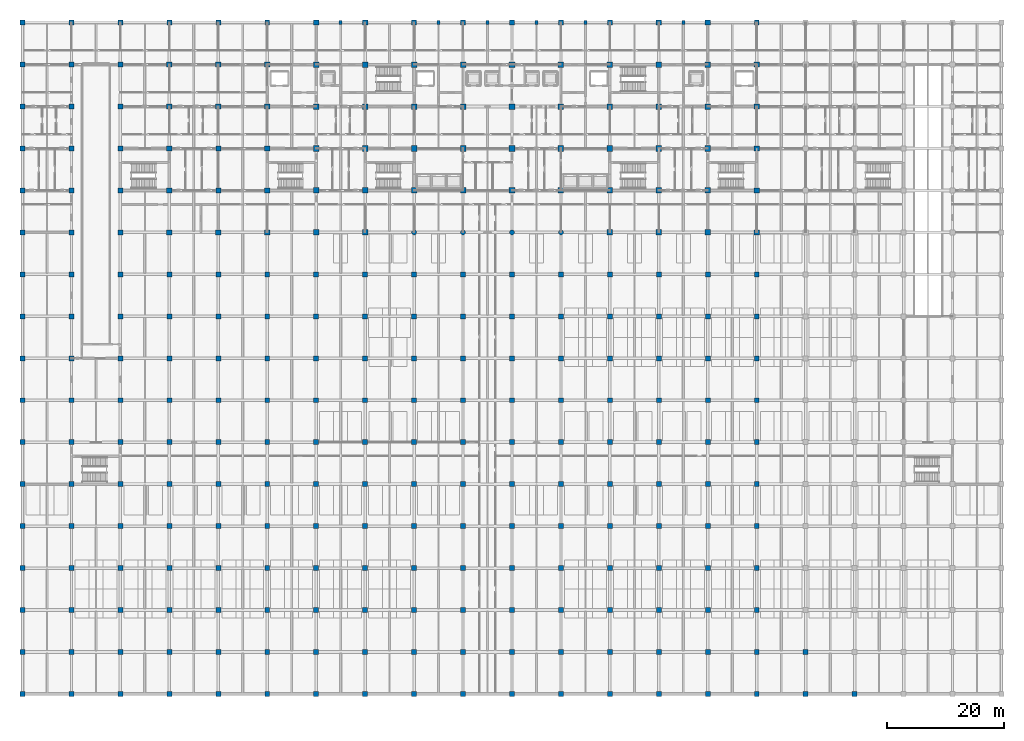
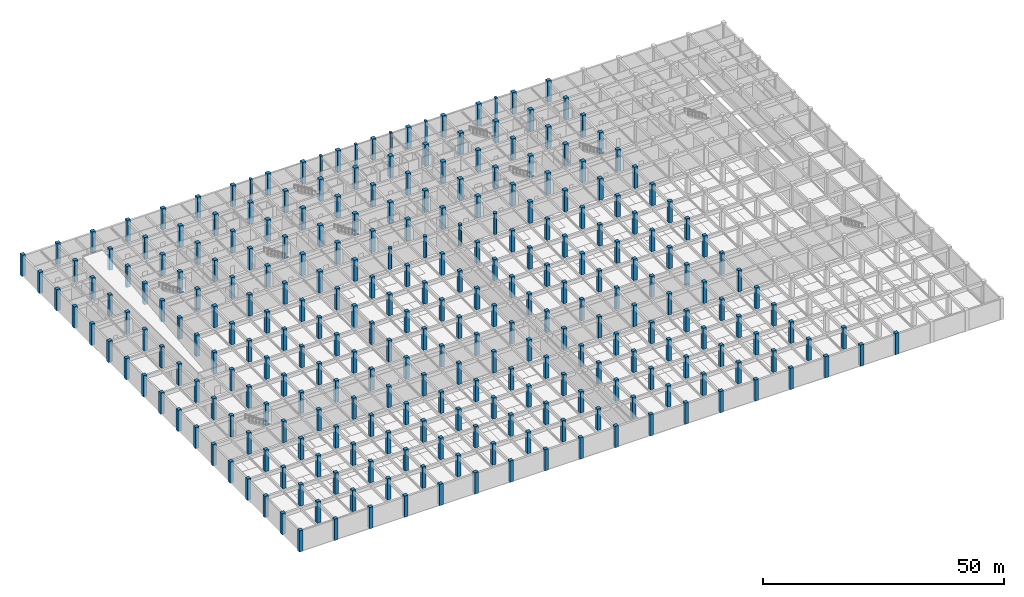
# One storey, part 1 of 48: 281 columns.
"""IFC4 building model written with IfcOpenShell, lengths in metres."""

from ifc_helpers import new_model, si_unit, direction, frame, origin, origin_2d, place, context, subcontext, project, spatial, rectangle, circle, extrude, material, material_profile, profile_set, type_object, element, save


model = new_model("IFC4")

# Units and contexts
model_context = context("Model", 3, precision=1e-05, world=origin(), true_north=direction((0.0, 1.0)))
body_context = subcontext(model_context, "Body", "Model", "MODEL_VIEW")
ifc_project = project(units=[si_unit("LENGTHUNIT", "METRE"), si_unit("AREAUNIT", "SQUARE_METRE"), si_unit("VOLUMEUNIT", "CUBIC_METRE"), si_unit("PLANEANGLEUNIT", "RADIAN"), si_unit("MASSUNIT", "GRAM", prefix="KILO")], contexts=[model_context])

# Site, building, storey
site_placement = place(None, origin())
site = spatial("IfcSite", under=ifc_project, at=site_placement, CompositionType="ELEMENT")
building_placement = place(site_placement, origin())
building = spatial("IfcBuilding", under=site, at=building_placement, Name="Chengyuan Square Courthouse", CompositionType="ELEMENT")
storey_placement = place(building_placement, frame((0.0, 0.0, -5.39990234375)))
storey = spatial("IfcBuildingStorey", under=building, at=storey_placement, Name="B01", CompositionType="ELEMENT", Elevation=-5.39990234375)

# Columns
ifc_material_1 = material(Name="Concrete C50", Category="concrete")
ifc_material_profile_1 = material_profile(ifc_material_1, rectangle(XDim=0.949951171875, YDim=0.949951171875, at=origin_2d()), Name="RC-COL-950x950")
ifc_profile_set_1 = profile_set([ifc_material_profile_1], Name="Concrete C50")
column_type_1 = type_object("IfcColumnType", Name="CL-01", PredefinedType="COLUMN", material=ifc_profile_set_1)
for number, where, z_axis, x_axis, name in (
    (1, (50.39990234375, 79.199951171875, 0.0), (0.0, 0.0, 1.0), (1.0, 0.0, 0.0), "Column CL-B01-114"),
    (2, (50.39990234375, 86.39990234375, 0.0), (0.0, 0.0, 1.0), (1.0, 0.0, 0.0), "Column CL-B01-115"),
    (3, (50.39990234375, 93.60009765625, 0.0), (0.0, 0.0, 1.0), (1.0, 0.0, 0.0), "Column CL-B01-116"),
    (4, (50.39990234375, 100.800048828125, 0.0), (0.0, 0.0, 1.0), (1.0, 0.0, 0.0), "Column CL-B01-117"),
    (5, (50.39990234375, 108.0, 0.0), (0.0, 0.0, 1.0), (1.0, 0.0, 0.0), "Column CL-B01-118"),
    (6, (58.800048828125, 79.199951171875, 0.0), (0.0, 0.0, 1.0), (1.0, 0.0, 0.0), "Column CL-B01-131"),
    (7, (58.800048828125, 86.39990234375, 0.0), (0.0, 0.0, 1.0), (1.0, 0.0, 0.0), "Column CL-B01-132"),
    (8, (58.800048828125, 93.60009765625, 0.0), (0.0, 0.0, 1.0), (1.0, 0.0, 0.0), "Column CL-B01-133"),
    (9, (58.800048828125, 100.800048828125, 0.0), (0.0, 0.0, 1.0), (1.0, 0.0, 0.0), "Column CL-B01-134"),
    (10, (58.800048828125, 108.0, 0.0), (0.0, 0.0, 1.0), (1.0, 0.0, 0.0), "Column CL-B01-135"),
    (11, (67.199951171875, 86.39990234375, 0.0), (0.0, 0.0, 1.0), (1.0, 0.0, 0.0), "Column CL-B01-149"),
    (12, (67.199951171875, 93.60009765625, 0.0), (0.0, 0.0, 1.0), (1.0, 0.0, 0.0), "Column CL-B01-150"),
    (13, (67.199951171875, 100.800048828125, 0.0), (0.0, 0.0, 1.0), (1.0, 0.0, 0.0), "Column CL-B01-151"),
    (14, (67.199951171875, 108.0, 0.0), (0.0, 0.0, 1.0), (1.0, 0.0, 0.0), "Column CL-B01-152"),
    (15, (75.60009765625, 86.39990234375, 0.0), (0.0, 0.0, 1.0), (1.0, 0.0, 0.0), "Column CL-B01-166"),
    (16, (75.60009765625, 93.60009765625, 0.0), (0.0, 0.0, 1.0), (1.0, 0.0, 0.0), "Column CL-B01-167"),
    (17, (75.60009765625, 100.800048828125, 0.0), (0.0, 0.0, 1.0), (1.0, 0.0, 0.0), "Column CL-B01-168"),
    (18, (75.60009765625, 108.0, 0.0), (0.0, 0.0, 1.0), (1.0, 0.0, 0.0), "Column CL-B01-169"),
    (19, (84.0, 86.39990234375, 0.0), (0.0, 0.0, 1.0), (1.0, 0.0, 0.0), "Column CL-B01-183"),
    (20, (84.0, 93.60009765625, 0.0), (0.0, 0.0, 1.0), (1.0, 0.0, 0.0), "Column CL-B01-184"),
    (21, (84.0, 100.800048828125, 0.0), (0.0, 0.0, 1.0), (1.0, 0.0, 0.0), "Column CL-B01-185"),
    (22, (84.0, 108.0, 0.0), (0.0, 0.0, 1.0), (1.0, 0.0, 0.0), "Column CL-B01-186"),
    (23, (92.39990234375, 86.39990234375, 0.0), (0.0, 0.0, 1.0), (1.0, 0.0, 0.0), "Column CL-B01-200"),
    (24, (92.39990234375, 93.60009765625, 0.0), (0.0, 0.0, 1.0), (1.0, 0.0, 0.0), "Column CL-B01-201"),
    (25, (92.39990234375, 100.800048828125, 0.0), (0.0, 0.0, 1.0), (1.0, 0.0, 0.0), "Column CL-B01-202"),
    (26, (92.39990234375, 108.0, 0.0), (0.0, 0.0, 1.0), (1.0, 0.0, 0.0), "Column CL-B01-203"),
    (27, (100.800048828125, 79.199951171875, 0.0), (0.0, 0.0, 1.0), (1.0, 0.0, 0.0), "Column CL-B01-216"),
    (28, (100.800048828125, 86.39990234375, 0.0), (0.0, 0.0, 1.0), (1.0, 0.0, 0.0), "Column CL-B01-217"),
    (29, (100.800048828125, 93.60009765625, 0.0), (0.0, 0.0, 1.0), (1.0, 0.0, 0.0), "Column CL-B01-218"),
    (30, (100.800048828125, 100.800048828125, 0.0), (0.0, 0.0, 1.0), (1.0, 0.0, 0.0), "Column CL-B01-219"),
    (31, (100.800048828125, 108.0, 0.0), (0.0, 0.0, 1.0), (1.0, 0.0, 0.0), "Column CL-B01-220"),
    (32, (109.199951171875, 79.199951171875, 0.0), (0.0, 0.0, 1.0), (1.0, 0.0, 0.0), "Column CL-B01-233"),
    (33, (109.199951171875, 86.39990234375, 0.0), (0.0, 0.0, 1.0), (1.0, 0.0, 0.0), "Column CL-B01-234"),
    (34, (109.199951171875, 93.60009765625, 0.0), (0.0, 0.0, 1.0), (1.0, 0.0, 0.0), "Column CL-B01-235"),
    (35, (109.199951171875, 100.800048828125, 0.0), (0.0, 0.0, 1.0), (1.0, 0.0, 0.0), "Column CL-B01-236"),
    (36, (109.199951171875, 108.0, 0.0), (0.0, 0.0, 1.0), (1.0, 0.0, 0.0), "Column CL-B01-237"),
    (37, (117.60009765625, 79.199951171875, 0.0), (0.0, 0.0, 1.0), (1.0, 0.0, 0.0), "Column CL-B01-250"),
    (38, (117.60009765625, 86.39990234375, 0.0), (0.0, 0.0, 1.0), (1.0, 0.0, 0.0), "Column CL-B01-251"),
    (39, (117.60009765625, 93.60009765625, 0.0), (0.0, 0.0, 1.0), (1.0, 0.0, 0.0), "Column CL-B01-252"),
    (40, (117.60009765625, 100.800048828125, 0.0), (0.0, 0.0, 1.0), (1.0, 0.0, 0.0), "Column CL-B01-253"),
    (41, (117.60009765625, 108.0, 0.0), (0.0, 0.0, 1.0), (1.0, 0.0, 0.0), "Column CL-B01-254"),
):
    element("IfcColumn", number, at=place(storey_placement, frame(where, z_axis=z_axis, x_axis=x_axis)), inside=storey, type_object=column_type_1, Name=name, PredefinedType="COLUMN", context=body_context, shape_type="SweptSolid", body=[
        extrude(rectangle(XDim=0.949951171875, YDim=0.949951171875, at=origin_2d()), origin(), (0.0, 0.0, 1.0), 5.39990234375),
    ])
ifc_material_profile_2 = material_profile(ifc_material_1, rectangle(XDim=0.89990234375, YDim=0.89990234375, at=origin_2d()), Name="RC-COL-900x900")
ifc_profile_set_2 = profile_set([ifc_material_profile_2], Name="Concrete C50")
column_type_2 = type_object("IfcColumnType", Name="CL-02", PredefinedType="COLUMN", material=ifc_profile_set_2)
for number, where, z_axis, x_axis, name in (
    (42, (25.199951171875, 79.199951171875, 0.0), (0.0, 0.0, 1.0), (1.0, 0.0, 0.0), "Column CL-B01-063"),
    (43, (25.199951171875, 86.39990234375, 0.0), (0.0, 0.0, 1.0), (1.0, 0.0, 0.0), "Column CL-B01-064"),
    (44, (25.199951171875, 93.60009765625, 0.0), (0.0, 0.0, 1.0), (1.0, 0.0, 0.0), "Column CL-B01-065"),
    (45, (25.199951171875, 100.800048828125, 0.0), (0.0, 0.0, 1.0), (1.0, 0.0, 0.0), "Column CL-B01-066"),
    (46, (25.199951171875, 108.0, 0.0), (0.0, 0.0, 1.0), (1.0, 0.0, 0.0), "Column CL-B01-067"),
    (47, (33.60009765625, 79.199951171875, 0.0), (0.0, 0.0, 1.0), (1.0, 0.0, 0.0), "Column CL-B01-080"),
    (48, (33.60009765625, 100.800048828125, 0.0), (0.0, 0.0, 1.0), (1.0, 0.0, 0.0), "Column CL-B01-083"),
    (49, (33.60009765625, 108.0, 0.0), (0.0, 0.0, 1.0), (1.0, 0.0, 0.0), "Column CL-B01-084"),
    (50, (42.0, 79.199951171875, 0.0), (0.0, 0.0, 1.0), (1.0, 0.0, 0.0), "Column CL-B01-097"),
    (51, (42.0, 86.39990234375, 0.0), (0.0, 0.0, 1.0), (1.0, 0.0, 0.0), "Column CL-B01-098"),
    (52, (42.0, 93.60009765625, 0.0), (0.0, 0.0, 1.0), (1.0, 0.0, 0.0), "Column CL-B01-099"),
    (53, (42.0, 100.800048828125, 0.0), (0.0, 0.0, 1.0), (1.0, 0.0, 0.0), "Column CL-B01-100"),
    (54, (42.0, 108.0, 0.0), (0.0, 0.0, 1.0), (1.0, 0.0, 0.0), "Column CL-B01-101"),
    (55, (50.39990234375, 115.199951171875, 0.0), (0.0, 0.0, 1.0), (1.0, 0.0, 0.0), "Column CL-B01-119"),
    (56, (58.800048828125, 115.199951171875, 0.0), (0.0, 0.0, 1.0), (1.0, 0.0, 0.0), "Column CL-B01-136"),
    (57, (67.199951171875, 115.199951171875, 0.0), (0.0, 0.0, 1.0), (1.0, 0.0, 0.0), "Column CL-B01-153"),
    (58, (75.60009765625, 115.199951171875, 0.0), (0.0, 0.0, 1.0), (1.0, 0.0, 0.0), "Column CL-B01-170"),
    (59, (84.0, 115.199951171875, 0.0), (0.0, 0.0, 1.0), (1.0, 0.0, 0.0), "Column CL-B01-187"),
    (60, (92.39990234375, 115.199951171875, 0.0), (0.0, 0.0, 1.0), (1.0, 0.0, 0.0), "Column CL-B01-204"),
    (61, (100.800048828125, 115.199951171875, 0.0), (0.0, 0.0, 1.0), (1.0, 0.0, 0.0), "Column CL-B01-221"),
    (62, (109.199951171875, 115.199951171875, 0.0), (0.0, 0.0, 1.0), (1.0, 0.0, 0.0), "Column CL-B01-238"),
    (63, (117.60009765625, 115.199951171875, 0.0), (0.0, 0.0, 1.0), (1.0, 0.0, 0.0), "Column CL-B01-255"),
    (64, (126.0, 79.199951171875, 0.0), (0.0, 0.0, 1.0), (1.0, 0.0, 0.0), "Column CL-B01-267"),
    (65, (126.0, 86.39990234375, 0.0), (0.0, 0.0, 1.0), (1.0, 0.0, 0.0), "Column CL-B01-268"),
    (66, (126.0, 93.60009765625, 0.0), (0.0, 0.0, 1.0), (1.0, 0.0, 0.0), "Column CL-B01-269"),
    (67, (126.0, 100.800048828125, 0.0), (0.0, 0.0, 1.0), (1.0, 0.0, 0.0), "Column CL-B01-270"),
    (68, (126.0, 108.0, 0.0), (0.0, 0.0, 1.0), (1.0, 0.0, 0.0), "Column CL-B01-271"),
):
    element("IfcColumn", number, at=place(storey_placement, frame(where, z_axis=z_axis, x_axis=x_axis)), inside=storey, type_object=column_type_2, Name=name, PredefinedType="COLUMN", context=body_context, shape_type="SweptSolid", body=[
        extrude(rectangle(XDim=0.89990234375, YDim=0.89990234375, at=origin_2d()), origin(), (0.0, 0.0, 1.0), 5.39990234375),
    ])
ifc_material_profile_3 = material_profile(ifc_material_1, rectangle(XDim=0.85009765625, YDim=0.85009765625, at=origin_2d()), Name="RC-COL-850x850")
ifc_profile_set_3 = profile_set([ifc_material_profile_3], Name="Concrete C50")
column_type_3 = type_object("IfcColumnType", Name="CL-03", PredefinedType="COLUMN", material=ifc_profile_set_3)
for number, where, z_axis, x_axis, name in (
    (69, (0.0, 0.0, 0.0), (0.0, 0.0, 1.0), (1.0, 0.0, 0.0), "Column CL-B01-001"),
    (70, (0.0, 7.199951171875, 0.0), (0.0, 0.0, 1.0), (1.0, 0.0, 0.0), "Column CL-B01-002"),
    (71, (0.0, 14.39990234375, 0.0), (0.0, 0.0, 1.0), (1.0, 0.0, 0.0), "Column CL-B01-003"),
    (72, (0.0, 21.60009765625, 0.0), (0.0, 0.0, 1.0), (1.0, 0.0, 0.0), "Column CL-B01-004"),
    (73, (0.0, 28.800048828125, 0.0), (0.0, 0.0, 1.0), (1.0, 0.0, 0.0), "Column CL-B01-005"),
    (74, (0.0, 36.0, 0.0), (0.0, 0.0, 1.0), (1.0, 0.0, 0.0), "Column CL-B01-006"),
    (75, (0.0, 43.199951171875, 0.0), (0.0, 0.0, 1.0), (1.0, 0.0, 0.0), "Column CL-B01-007"),
    (76, (0.0, 50.39990234375, 0.0), (0.0, 0.0, 1.0), (1.0, 0.0, 0.0), "Column CL-B01-008"),
    (77, (0.0, 57.60009765625, 0.0), (0.0, 0.0, 1.0), (1.0, 0.0, 0.0), "Column CL-B01-009"),
    (78, (0.0, 64.800048828125, 0.0), (0.0, 0.0, 1.0), (1.0, 0.0, 0.0), "Column CL-B01-010"),
    (79, (0.0, 72.0, 0.0), (0.0, 0.0, 1.0), (1.0, 0.0, 0.0), "Column CL-B01-011"),
    (80, (0.0, 79.199951171875, 0.0), (0.0, 0.0, 1.0), (1.0, 0.0, 0.0), "Column CL-B01-012"),
    (81, (0.0, 86.39990234375, 0.0), (0.0, 0.0, 1.0), (1.0, 0.0, 0.0), "Column CL-B01-013"),
    (82, (0.0, 93.60009765625, 0.0), (0.0, 0.0, 1.0), (1.0, 0.0, 0.0), "Column CL-B01-014"),
    (83, (0.0, 100.800048828125, 0.0), (0.0, 0.0, 1.0), (1.0, 0.0, 0.0), "Column CL-B01-015"),
    (84, (0.0, 108.0, 0.0), (0.0, 0.0, 1.0), (1.0, 0.0, 0.0), "Column CL-B01-016"),
    (85, (0.0, 115.199951171875, 0.0), (0.0, 0.0, 1.0), (1.0, 0.0, 0.0), "Column CL-B01-017"),
    (86, (8.39990234375, 0.0, 0.0), (0.0, 0.0, 1.0), (1.0, 0.0, 0.0), "Column CL-B01-018"),
    (87, (8.39990234375, 7.199951171875, 0.0), (0.0, 0.0, 1.0), (1.0, 0.0, 0.0), "Column CL-B01-019"),
    (88, (8.39990234375, 14.39990234375, 0.0), (0.0, 0.0, 1.0), (1.0, 0.0, 0.0), "Column CL-B01-020"),
    (89, (8.39990234375, 21.60009765625, 0.0), (0.0, 0.0, 1.0), (1.0, 0.0, 0.0), "Column CL-B01-021"),
    (90, (8.39990234375, 28.800048828125, 0.0), (0.0, 0.0, 1.0), (1.0, 0.0, 0.0), "Column CL-B01-022"),
    (91, (8.39990234375, 36.0, 0.0), (0.0, 0.0, 1.0), (1.0, 0.0, 0.0), "Column CL-B01-023"),
    (92, (8.39990234375, 43.199951171875, 0.0), (0.0, 0.0, 1.0), (1.0, 0.0, 0.0), "Column CL-B01-024"),
    (93, (8.39990234375, 50.39990234375, 0.0), (0.0, 0.0, 1.0), (1.0, 0.0, 0.0), "Column CL-B01-025"),
    (94, (8.39990234375, 57.60009765625, 0.0), (0.0, 0.0, 1.0), (1.0, 0.0, 0.0), "Column CL-B01-026"),
    (95, (8.39990234375, 64.800048828125, 0.0), (0.0, 0.0, 1.0), (1.0, 0.0, 0.0), "Column CL-B01-027"),
    (96, (8.39990234375, 72.0, 0.0), (0.0, 0.0, 1.0), (1.0, 0.0, 0.0), "Column CL-B01-028"),
    (97, (8.39990234375, 79.199951171875, 0.0), (0.0, 0.0, 1.0), (1.0, 0.0, 0.0), "Column CL-B01-029"),
    (98, (8.39990234375, 86.39990234375, 0.0), (0.0, 0.0, 1.0), (1.0, 0.0, 0.0), "Column CL-B01-030"),
    (99, (8.39990234375, 93.60009765625, 0.0), (0.0, 0.0, 1.0), (1.0, 0.0, 0.0), "Column CL-B01-031"),
    (100, (8.39990234375, 100.800048828125, 0.0), (0.0, 0.0, 1.0), (1.0, 0.0, 0.0), "Column CL-B01-032"),
    (101, (8.39990234375, 108.0, 0.0), (0.0, 0.0, 1.0), (1.0, 0.0, 0.0), "Column CL-B01-033"),
    (102, (8.39990234375, 115.199951171875, 0.0), (0.0, 0.0, 1.0), (1.0, 0.0, 0.0), "Column CL-B01-034"),
    (103, (16.800048828125, 0.0, 0.0), (0.0, 0.0, 1.0), (1.0, 0.0, 0.0), "Column CL-B01-035"),
    (104, (16.800048828125, 7.199951171875, 0.0), (0.0, 0.0, 1.0), (1.0, 0.0, 0.0), "Column CL-B01-036"),
    (105, (16.800048828125, 14.39990234375, 0.0), (0.0, 0.0, 1.0), (1.0, 0.0, 0.0), "Column CL-B01-037"),
    (106, (16.800048828125, 21.60009765625, 0.0), (0.0, 0.0, 1.0), (1.0, 0.0, 0.0), "Column CL-B01-038"),
    (107, (16.800048828125, 28.800048828125, 0.0), (0.0, 0.0, 1.0), (1.0, 0.0, 0.0), "Column CL-B01-039"),
    (108, (16.800048828125, 36.0, 0.0), (0.0, 0.0, 1.0), (1.0, 0.0, 0.0), "Column CL-B01-040"),
    (109, (16.800048828125, 43.199951171875, 0.0), (0.0, 0.0, 1.0), (1.0, 0.0, 0.0), "Column CL-B01-041"),
    (110, (16.800048828125, 50.39990234375, 0.0), (0.0, 0.0, 1.0), (1.0, 0.0, 0.0), "Column CL-B01-042"),
    (111, (16.800048828125, 57.60009765625, 0.0), (0.0, 0.0, 1.0), (1.0, 0.0, 0.0), "Column CL-B01-043"),
    (112, (16.800048828125, 64.800048828125, 0.0), (0.0, 0.0, 1.0), (1.0, 0.0, 0.0), "Column CL-B01-044"),
    (113, (16.800048828125, 72.0, 0.0), (0.0, 0.0, 1.0), (1.0, 0.0, 0.0), "Column CL-B01-045"),
    (114, (16.800048828125, 79.199951171875, 0.0), (0.0, 0.0, 1.0), (1.0, 0.0, 0.0), "Column CL-B01-046"),
    (115, (16.800048828125, 86.39990234375, 0.0), (0.0, 0.0, 1.0), (1.0, 0.0, 0.0), "Column CL-B01-047"),
    (116, (16.800048828125, 93.60009765625, 0.0), (0.0, 0.0, 1.0), (1.0, 0.0, 0.0), "Column CL-B01-048"),
    (117, (16.800048828125, 100.800048828125, 0.0), (0.0, 0.0, 1.0), (1.0, 0.0, 0.0), "Column CL-B01-049"),
    (118, (16.800048828125, 108.0, 0.0), (0.0, 0.0, 1.0), (1.0, 0.0, 0.0), "Column CL-B01-050"),
    (119, (16.800048828125, 115.199951171875, 0.0), (0.0, 0.0, 1.0), (1.0, 0.0, 0.0), "Column CL-B01-051"),
    (120, (25.199951171875, 0.0, 0.0), (0.0, 0.0, 1.0), (1.0, 0.0, 0.0), "Column CL-B01-052"),
    (121, (25.199951171875, 7.199951171875, 0.0), (0.0, 0.0, 1.0), (1.0, 0.0, 0.0), "Column CL-B01-053"),
    (122, (25.199951171875, 14.39990234375, 0.0), (0.0, 0.0, 1.0), (1.0, 0.0, 0.0), "Column CL-B01-054"),
    (123, (25.199951171875, 21.60009765625, 0.0), (0.0, 0.0, 1.0), (1.0, 0.0, 0.0), "Column CL-B01-055"),
    (124, (25.199951171875, 28.800048828125, 0.0), (0.0, 0.0, 1.0), (1.0, 0.0, 0.0), "Column CL-B01-056"),
    (125, (25.199951171875, 36.0, 0.0), (0.0, 0.0, 1.0), (1.0, 0.0, 0.0), "Column CL-B01-057"),
    (126, (25.199951171875, 43.199951171875, 0.0), (0.0, 0.0, 1.0), (1.0, 0.0, 0.0), "Column CL-B01-058"),
    (127, (25.199951171875, 50.39990234375, 0.0), (0.0, 0.0, 1.0), (1.0, 0.0, 0.0), "Column CL-B01-059"),
    (128, (25.199951171875, 57.60009765625, 0.0), (0.0, 0.0, 1.0), (1.0, 0.0, 0.0), "Column CL-B01-060"),
    (129, (25.199951171875, 64.800048828125, 0.0), (0.0, 0.0, 1.0), (1.0, 0.0, 0.0), "Column CL-B01-061"),
    (130, (25.199951171875, 72.0, 0.0), (0.0, 0.0, 1.0), (1.0, 0.0, 0.0), "Column CL-B01-062"),
    (131, (25.199951171875, 115.199951171875, 0.0), (0.0, 0.0, 1.0), (1.0, 0.0, 0.0), "Column CL-B01-068"),
    (132, (33.60009765625, 0.0, 0.0), (0.0, 0.0, 1.0), (1.0, 0.0, 0.0), "Column CL-B01-069"),
    (133, (33.60009765625, 7.199951171875, 0.0), (0.0, 0.0, 1.0), (1.0, 0.0, 0.0), "Column CL-B01-070"),
    (134, (33.60009765625, 14.39990234375, 0.0), (0.0, 0.0, 1.0), (1.0, 0.0, 0.0), "Column CL-B01-071"),
    (135, (33.60009765625, 21.60009765625, 0.0), (0.0, 0.0, 1.0), (1.0, 0.0, 0.0), "Column CL-B01-072"),
    (136, (33.60009765625, 28.800048828125, 0.0), (0.0, 0.0, 1.0), (1.0, 0.0, 0.0), "Column CL-B01-073"),
    (137, (33.60009765625, 36.0, 0.0), (0.0, 0.0, 1.0), (1.0, 0.0, 0.0), "Column CL-B01-074"),
    (138, (33.60009765625, 43.199951171875, 0.0), (0.0, 0.0, 1.0), (1.0, 0.0, 0.0), "Column CL-B01-075"),
    (139, (33.60009765625, 50.39990234375, 0.0), (0.0, 0.0, 1.0), (1.0, 0.0, 0.0), "Column CL-B01-076"),
    (140, (33.60009765625, 57.60009765625, 0.0), (0.0, 0.0, 1.0), (1.0, 0.0, 0.0), "Column CL-B01-077"),
    (141, (33.60009765625, 64.800048828125, 0.0), (0.0, 0.0, 1.0), (1.0, 0.0, 0.0), "Column CL-B01-078"),
    (142, (33.60009765625, 72.0, 0.0), (0.0, 0.0, 1.0), (1.0, 0.0, 0.0), "Column CL-B01-079"),
    (143, (33.60009765625, 86.39990234375, 0.0), (0.0, 0.0, 1.0), (1.0, 0.0, 0.0), "Column CL-B01-081"),
    (144, (33.60009765625, 93.60009765625, 0.0), (0.0, 0.0, 1.0), (1.0, 0.0, 0.0), "Column CL-B01-082"),
    (145, (33.60009765625, 115.199951171875, 0.0), (0.0, 0.0, 1.0), (1.0, 0.0, 0.0), "Column CL-B01-085"),
    (146, (42.0, 0.0, 0.0), (0.0, 0.0, 1.0), (1.0, 0.0, 0.0), "Column CL-B01-086"),
    (147, (42.0, 7.199951171875, 0.0), (0.0, 0.0, 1.0), (1.0, 0.0, 0.0), "Column CL-B01-087"),
    (148, (42.0, 14.39990234375, 0.0), (0.0, 0.0, 1.0), (1.0, 0.0, 0.0), "Column CL-B01-088"),
    (149, (42.0, 21.60009765625, 0.0), (0.0, 0.0, 1.0), (1.0, 0.0, 0.0), "Column CL-B01-089"),
    (150, (42.0, 28.800048828125, 0.0), (0.0, 0.0, 1.0), (1.0, 0.0, 0.0), "Column CL-B01-090"),
    (151, (42.0, 36.0, 0.0), (0.0, 0.0, 1.0), (1.0, 0.0, 0.0), "Column CL-B01-091"),
    (152, (42.0, 43.199951171875, 0.0), (0.0, 0.0, 1.0), (1.0, 0.0, 0.0), "Column CL-B01-092"),
    (153, (42.0, 50.39990234375, 0.0), (0.0, 0.0, 1.0), (1.0, 0.0, 0.0), "Column CL-B01-093"),
    (154, (42.0, 57.60009765625, 0.0), (0.0, 0.0, 1.0), (1.0, 0.0, 0.0), "Column CL-B01-094"),
    (155, (42.0, 64.800048828125, 0.0), (0.0, 0.0, 1.0), (1.0, 0.0, 0.0), "Column CL-B01-095"),
    (156, (42.0, 72.0, 0.0), (0.0, 0.0, 1.0), (1.0, 0.0, 0.0), "Column CL-B01-096"),
    (157, (42.0, 115.199951171875, 0.0), (0.0, 0.0, 1.0), (1.0, 0.0, 0.0), "Column CL-B01-102"),
    (158, (50.39990234375, 0.0, 0.0), (0.0, 0.0, 1.0), (1.0, 0.0, 0.0), "Column CL-B01-103"),
    (159, (50.39990234375, 7.199951171875, 0.0), (0.0, 0.0, 1.0), (1.0, 0.0, 0.0), "Column CL-B01-104"),
    (160, (50.39990234375, 14.39990234375, 0.0), (0.0, 0.0, 1.0), (1.0, 0.0, 0.0), "Column CL-B01-105"),
    (161, (50.39990234375, 21.60009765625, 0.0), (0.0, 0.0, 1.0), (1.0, 0.0, 0.0), "Column CL-B01-106"),
    (162, (50.39990234375, 28.800048828125, 0.0), (0.0, 0.0, 1.0), (1.0, 0.0, 0.0), "Column CL-B01-107"),
    (163, (50.39990234375, 36.0, 0.0), (0.0, 0.0, 1.0), (1.0, 0.0, 0.0), "Column CL-B01-108"),
    (164, (50.39990234375, 43.199951171875, 0.0), (0.0, 0.0, 1.0), (1.0, 0.0, 0.0), "Column CL-B01-109"),
    (165, (50.39990234375, 50.39990234375, 0.0), (0.0, 0.0, 1.0), (1.0, 0.0, 0.0), "Column CL-B01-110"),
    (166, (50.39990234375, 57.60009765625, 0.0), (0.0, 0.0, 1.0), (1.0, 0.0, 0.0), "Column CL-B01-111"),
    (167, (50.39990234375, 64.800048828125, 0.0), (0.0, 0.0, 1.0), (1.0, 0.0, 0.0), "Column CL-B01-112"),
    (168, (50.39990234375, 72.0, 0.0), (0.0, 0.0, 1.0), (1.0, 0.0, 0.0), "Column CL-B01-113"),
    (169, (58.800048828125, 0.0, 0.0), (0.0, 0.0, 1.0), (1.0, 0.0, 0.0), "Column CL-B01-120"),
    (170, (58.800048828125, 7.199951171875, 0.0), (0.0, 0.0, 1.0), (1.0, 0.0, 0.0), "Column CL-B01-121"),
    (171, (58.800048828125, 14.39990234375, 0.0), (0.0, 0.0, 1.0), (1.0, 0.0, 0.0), "Column CL-B01-122"),
    (172, (58.800048828125, 21.60009765625, 0.0), (0.0, 0.0, 1.0), (1.0, 0.0, 0.0), "Column CL-B01-123"),
    (173, (58.800048828125, 28.800048828125, 0.0), (0.0, 0.0, 1.0), (1.0, 0.0, 0.0), "Column CL-B01-124"),
    (174, (58.800048828125, 36.0, 0.0), (0.0, 0.0, 1.0), (1.0, 0.0, 0.0), "Column CL-B01-125"),
    (175, (58.800048828125, 43.199951171875, 0.0), (0.0, 0.0, 1.0), (1.0, 0.0, 0.0), "Column CL-B01-126"),
    (176, (58.800048828125, 50.39990234375, 0.0), (0.0, 0.0, 1.0), (1.0, 0.0, 0.0), "Column CL-B01-127"),
    (177, (58.800048828125, 57.60009765625, 0.0), (0.0, 0.0, 1.0), (1.0, 0.0, 0.0), "Column CL-B01-128"),
    (178, (58.800048828125, 64.800048828125, 0.0), (0.0, 0.0, 1.0), (1.0, 0.0, 0.0), "Column CL-B01-129"),
    (179, (58.800048828125, 72.0, 0.0), (0.0, 0.0, 1.0), (1.0, 0.0, 0.0), "Column CL-B01-130"),
    (180, (67.199951171875, 0.0, 0.0), (0.0, 0.0, 1.0), (1.0, 0.0, 0.0), "Column CL-B01-137"),
    (181, (67.199951171875, 7.199951171875, 0.0), (0.0, 0.0, 1.0), (1.0, 0.0, 0.0), "Column CL-B01-138"),
    (182, (67.199951171875, 14.39990234375, 0.0), (0.0, 0.0, 1.0), (1.0, 0.0, 0.0), "Column CL-B01-139"),
    (183, (67.199951171875, 21.60009765625, 0.0), (0.0, 0.0, 1.0), (1.0, 0.0, 0.0), "Column CL-B01-140"),
    (184, (67.199951171875, 28.800048828125, 0.0), (0.0, 0.0, 1.0), (1.0, 0.0, 0.0), "Column CL-B01-141"),
    (185, (67.199951171875, 36.0, 0.0), (0.0, 0.0, 1.0), (1.0, 0.0, 0.0), "Column CL-B01-142"),
    (186, (67.199951171875, 43.199951171875, 0.0), (0.0, 0.0, 1.0), (1.0, 0.0, 0.0), "Column CL-B01-143"),
    (187, (67.199951171875, 50.39990234375, 0.0), (0.0, 0.0, 1.0), (1.0, 0.0, 0.0), "Column CL-B01-144"),
    (188, (67.199951171875, 57.60009765625, 0.0), (0.0, 0.0, 1.0), (1.0, 0.0, 0.0), "Column CL-B01-145"),
    (189, (67.199951171875, 64.800048828125, 0.0), (0.0, 0.0, 1.0), (1.0, 0.0, 0.0), "Column CL-B01-146"),
    (190, (67.199951171875, 72.0, 0.0), (0.0, 0.0, 1.0), (1.0, 0.0, 0.0), "Column CL-B01-147"),
    (191, (75.60009765625, 0.0, 0.0), (0.0, 0.0, 1.0), (1.0, 0.0, 0.0), "Column CL-B01-154"),
    (192, (75.60009765625, 7.199951171875, 0.0), (0.0, 0.0, 1.0), (1.0, 0.0, 0.0), "Column CL-B01-155"),
    (193, (75.60009765625, 14.39990234375, 0.0), (0.0, 0.0, 1.0), (1.0, 0.0, 0.0), "Column CL-B01-156"),
    (194, (75.60009765625, 21.60009765625, 0.0), (0.0, 0.0, 1.0), (1.0, 0.0, 0.0), "Column CL-B01-157"),
    (195, (75.60009765625, 28.800048828125, 0.0), (0.0, 0.0, 1.0), (1.0, 0.0, 0.0), "Column CL-B01-158"),
    (196, (75.60009765625, 36.0, 0.0), (0.0, 0.0, 1.0), (1.0, 0.0, 0.0), "Column CL-B01-159"),
    (197, (75.60009765625, 43.199951171875, 0.0), (0.0, 0.0, 1.0), (1.0, 0.0, 0.0), "Column CL-B01-160"),
    (198, (75.60009765625, 50.39990234375, 0.0), (0.0, 0.0, 1.0), (1.0, 0.0, 0.0), "Column CL-B01-161"),
    (199, (75.60009765625, 57.60009765625, 0.0), (0.0, 0.0, 1.0), (1.0, 0.0, 0.0), "Column CL-B01-162"),
    (200, (75.60009765625, 64.800048828125, 0.0), (0.0, 0.0, 1.0), (1.0, 0.0, 0.0), "Column CL-B01-163"),
    (201, (75.60009765625, 72.0, 0.0), (0.0, 0.0, 1.0), (1.0, 0.0, 0.0), "Column CL-B01-164"),
    (202, (84.0, 0.0, 0.0), (0.0, 0.0, 1.0), (1.0, 0.0, 0.0), "Column CL-B01-171"),
    (203, (84.0, 7.199951171875, 0.0), (0.0, 0.0, 1.0), (1.0, 0.0, 0.0), "Column CL-B01-172"),
    (204, (84.0, 14.39990234375, 0.0), (0.0, 0.0, 1.0), (1.0, 0.0, 0.0), "Column CL-B01-173"),
    (205, (84.0, 21.60009765625, 0.0), (0.0, 0.0, 1.0), (1.0, 0.0, 0.0), "Column CL-B01-174"),
    (206, (84.0, 28.800048828125, 0.0), (0.0, 0.0, 1.0), (1.0, 0.0, 0.0), "Column CL-B01-175"),
    (207, (84.0, 36.0, 0.0), (0.0, 0.0, 1.0), (1.0, 0.0, 0.0), "Column CL-B01-176"),
    (208, (84.0, 43.199951171875, 0.0), (0.0, 0.0, 1.0), (1.0, 0.0, 0.0), "Column CL-B01-177"),
    (209, (84.0, 50.39990234375, 0.0), (0.0, 0.0, 1.0), (1.0, 0.0, 0.0), "Column CL-B01-178"),
    (210, (84.0, 57.60009765625, 0.0), (0.0, 0.0, 1.0), (1.0, 0.0, 0.0), "Column CL-B01-179"),
    (211, (84.0, 64.800048828125, 0.0), (0.0, 0.0, 1.0), (1.0, 0.0, 0.0), "Column CL-B01-180"),
    (212, (84.0, 72.0, 0.0), (0.0, 0.0, 1.0), (1.0, 0.0, 0.0), "Column CL-B01-181"),
    (213, (92.39990234375, 0.0, 0.0), (0.0, 0.0, 1.0), (1.0, 0.0, 0.0), "Column CL-B01-188"),
    (214, (92.39990234375, 7.199951171875, 0.0), (0.0, 0.0, 1.0), (1.0, 0.0, 0.0), "Column CL-B01-189"),
    (215, (92.39990234375, 14.39990234375, 0.0), (0.0, 0.0, 1.0), (1.0, 0.0, 0.0), "Column CL-B01-190"),
    (216, (92.39990234375, 21.60009765625, 0.0), (0.0, 0.0, 1.0), (1.0, 0.0, 0.0), "Column CL-B01-191"),
    (217, (92.39990234375, 28.800048828125, 0.0), (0.0, 0.0, 1.0), (1.0, 0.0, 0.0), "Column CL-B01-192"),
    (218, (92.39990234375, 36.0, 0.0), (0.0, 0.0, 1.0), (1.0, 0.0, 0.0), "Column CL-B01-193"),
    (219, (92.39990234375, 43.199951171875, 0.0), (0.0, 0.0, 1.0), (1.0, 0.0, 0.0), "Column CL-B01-194"),
    (220, (92.39990234375, 50.39990234375, 0.0), (0.0, 0.0, 1.0), (1.0, 0.0, 0.0), "Column CL-B01-195"),
    (221, (92.39990234375, 57.60009765625, 0.0), (0.0, 0.0, 1.0), (1.0, 0.0, 0.0), "Column CL-B01-196"),
    (222, (92.39990234375, 64.800048828125, 0.0), (0.0, 0.0, 1.0), (1.0, 0.0, 0.0), "Column CL-B01-197"),
    (223, (92.39990234375, 72.0, 0.0), (0.0, 0.0, 1.0), (1.0, 0.0, 0.0), "Column CL-B01-198"),
    (224, (100.800048828125, 0.0, 0.0), (0.0, 0.0, 1.0), (1.0, 0.0, 0.0), "Column CL-B01-205"),
    (225, (100.800048828125, 7.199951171875, 0.0), (0.0, 0.0, 1.0), (1.0, 0.0, 0.0), "Column CL-B01-206"),
    (226, (100.800048828125, 14.39990234375, 0.0), (0.0, 0.0, 1.0), (1.0, 0.0, 0.0), "Column CL-B01-207"),
    (227, (100.800048828125, 21.60009765625, 0.0), (0.0, 0.0, 1.0), (1.0, 0.0, 0.0), "Column CL-B01-208"),
    (228, (100.800048828125, 28.800048828125, 0.0), (0.0, 0.0, 1.0), (1.0, 0.0, 0.0), "Column CL-B01-209"),
    (229, (100.800048828125, 36.0, 0.0), (0.0, 0.0, 1.0), (1.0, 0.0, 0.0), "Column CL-B01-210"),
    (230, (100.800048828125, 43.199951171875, 0.0), (0.0, 0.0, 1.0), (1.0, 0.0, 0.0), "Column CL-B01-211"),
    (231, (100.800048828125, 50.39990234375, 0.0), (0.0, 0.0, 1.0), (1.0, 0.0, 0.0), "Column CL-B01-212"),
    (232, (100.800048828125, 57.60009765625, 0.0), (0.0, 0.0, 1.0), (1.0, 0.0, 0.0), "Column CL-B01-213"),
    (233, (100.800048828125, 64.800048828125, 0.0), (0.0, 0.0, 1.0), (1.0, 0.0, 0.0), "Column CL-B01-214"),
    (234, (100.800048828125, 72.0, 0.0), (0.0, 0.0, 1.0), (1.0, 0.0, 0.0), "Column CL-B01-215"),
    (235, (109.199951171875, 0.0, 0.0), (0.0, 0.0, 1.0), (1.0, 0.0, 0.0), "Column CL-B01-222"),
    (236, (109.199951171875, 7.199951171875, 0.0), (0.0, 0.0, 1.0), (1.0, 0.0, 0.0), "Column CL-B01-223"),
    (237, (109.199951171875, 14.39990234375, 0.0), (0.0, 0.0, 1.0), (1.0, 0.0, 0.0), "Column CL-B01-224"),
    (238, (109.199951171875, 21.60009765625, 0.0), (0.0, 0.0, 1.0), (1.0, 0.0, 0.0), "Column CL-B01-225"),
    (239, (109.199951171875, 28.800048828125, 0.0), (0.0, 0.0, 1.0), (1.0, 0.0, 0.0), "Column CL-B01-226"),
    (240, (109.199951171875, 36.0, 0.0), (0.0, 0.0, 1.0), (1.0, 0.0, 0.0), "Column CL-B01-227"),
    (241, (109.199951171875, 43.199951171875, 0.0), (0.0, 0.0, 1.0), (1.0, 0.0, 0.0), "Column CL-B01-228"),
    (242, (109.199951171875, 50.39990234375, 0.0), (0.0, 0.0, 1.0), (1.0, 0.0, 0.0), "Column CL-B01-229"),
    (243, (109.199951171875, 57.60009765625, 0.0), (0.0, 0.0, 1.0), (1.0, 0.0, 0.0), "Column CL-B01-230"),
    (244, (109.199951171875, 64.800048828125, 0.0), (0.0, 0.0, 1.0), (1.0, 0.0, 0.0), "Column CL-B01-231"),
    (245, (109.199951171875, 72.0, 0.0), (0.0, 0.0, 1.0), (1.0, 0.0, 0.0), "Column CL-B01-232"),
    (246, (117.60009765625, 0.0, 0.0), (0.0, 0.0, 1.0), (1.0, 0.0, 0.0), "Column CL-B01-239"),
    (247, (117.60009765625, 7.199951171875, 0.0), (0.0, 0.0, 1.0), (1.0, 0.0, 0.0), "Column CL-B01-240"),
    (248, (117.60009765625, 14.39990234375, 0.0), (0.0, 0.0, 1.0), (1.0, 0.0, 0.0), "Column CL-B01-241"),
    (249, (117.60009765625, 21.60009765625, 0.0), (0.0, 0.0, 1.0), (1.0, 0.0, 0.0), "Column CL-B01-242"),
    (250, (117.60009765625, 28.800048828125, 0.0), (0.0, 0.0, 1.0), (1.0, 0.0, 0.0), "Column CL-B01-243"),
    (251, (117.60009765625, 36.0, 0.0), (0.0, 0.0, 1.0), (1.0, 0.0, 0.0), "Column CL-B01-244"),
    (252, (117.60009765625, 43.199951171875, 0.0), (0.0, 0.0, 1.0), (1.0, 0.0, 0.0), "Column CL-B01-245"),
    (253, (117.60009765625, 50.39990234375, 0.0), (0.0, 0.0, 1.0), (1.0, 0.0, 0.0), "Column CL-B01-246"),
    (254, (117.60009765625, 57.60009765625, 0.0), (0.0, 0.0, 1.0), (1.0, 0.0, 0.0), "Column CL-B01-247"),
    (255, (117.60009765625, 64.800048828125, 0.0), (0.0, 0.0, 1.0), (1.0, 0.0, 0.0), "Column CL-B01-248"),
    (256, (117.60009765625, 72.0, 0.0), (0.0, 0.0, 1.0), (1.0, 0.0, 0.0), "Column CL-B01-249"),
    (257, (126.0, 0.0, 0.0), (0.0, 0.0, 1.0), (1.0, 0.0, 0.0), "Column CL-B01-256"),
    (258, (126.0, 7.199951171875, 0.0), (0.0, 0.0, 1.0), (1.0, 0.0, 0.0), "Column CL-B01-257"),
    (259, (126.0, 14.39990234375, 0.0), (0.0, 0.0, 1.0), (1.0, 0.0, 0.0), "Column CL-B01-258"),
    (260, (126.0, 21.60009765625, 0.0), (0.0, 0.0, 1.0), (1.0, 0.0, 0.0), "Column CL-B01-259"),
    (261, (126.0, 28.800048828125, 0.0), (0.0, 0.0, 1.0), (1.0, 0.0, 0.0), "Column CL-B01-260"),
    (262, (126.0, 36.0, 0.0), (0.0, 0.0, 1.0), (1.0, 0.0, 0.0), "Column CL-B01-261"),
    (263, (126.0, 43.199951171875, 0.0), (0.0, 0.0, 1.0), (1.0, 0.0, 0.0), "Column CL-B01-262"),
    (264, (126.0, 50.39990234375, 0.0), (0.0, 0.0, 1.0), (1.0, 0.0, 0.0), "Column CL-B01-263"),
    (265, (126.0, 57.60009765625, 0.0), (0.0, 0.0, 1.0), (1.0, 0.0, 0.0), "Column CL-B01-264"),
    (266, (126.0, 64.800048828125, 0.0), (0.0, 0.0, 1.0), (1.0, 0.0, 0.0), "Column CL-B01-265"),
    (267, (126.0, 72.0, 0.0), (0.0, 0.0, 1.0), (1.0, 0.0, 0.0), "Column CL-B01-266"),
    (268, (126.0, 115.199951171875, 0.0), (0.0, 0.0, 1.0), (1.0, 0.0, 0.0), "Column CL-B01-272"),
    (269, (134.39990234375, 0.0, 0.0), (0.0, 0.0, 1.0), (1.0, 0.0, 0.0), "Column CL-B01-273"),
    (270, (134.39990234375, 7.199951171875, 0.0), (0.0, 0.0, 1.0), (1.0, 0.0, 0.0), "Column CL-B01-274"),
    (271, (142.800048828125, 0.0, 0.0), (0.0, 0.0, 1.0), (1.0, 0.0, 0.0), "Column CL-B01-290"),
):
    element("IfcColumn", number, at=place(storey_placement, frame(where, z_axis=z_axis, x_axis=x_axis)), inside=storey, type_object=column_type_3, Name=name, PredefinedType="COLUMN", context=body_context, shape_type="SweptSolid", body=[
        extrude(rectangle(XDim=0.85009765625, YDim=0.85009765625, at=origin_2d()), origin(), (0.0, 0.0, 1.0), 5.39990234375),
    ])
ifc_material_profile_4 = material_profile(ifc_material_1, circle(Radius=0.425048828125, at=origin_2d()), Name="RC-COL-D850")
ifc_profile_set_4 = profile_set([ifc_material_profile_4], Name="Concrete C50")
column_type_4 = type_object("IfcColumnType", Name="CL-08", PredefinedType="COLUMN", material=ifc_profile_set_4)
for number, where, z_axis, x_axis, name in (
    (272, (67.199951171875, 79.199951171875, 0.0), (0.0, 0.0, 1.0), (1.0, 0.0, 0.0), "Column CL-B01-148"),
    (273, (75.60009765625, 79.199951171875, 0.0), (0.0, 0.0, 1.0), (1.0, 0.0, 0.0), "Column CL-B01-165"),
    (274, (84.0, 79.199951171875, 0.0), (0.0, 0.0, 1.0), (1.0, 0.0, 0.0), "Column CL-B01-182"),
    (275, (92.39990234375, 79.199951171875, 0.0), (0.0, 0.0, 1.0), (1.0, 0.0, 0.0), "Column CL-B01-199"),
):
    element("IfcColumn", number, at=place(storey_placement, frame(where, z_axis=z_axis, x_axis=x_axis)), inside=storey, type_object=column_type_4, Name=name, PredefinedType="COLUMN", context=body_context, shape_type="SweptSolid", body=[
        extrude(circle(Radius=0.425048828125, at=origin_2d()), origin(), (0.0, 0.0, 1.0), 5.39990234375),
    ])
ifc_material_2 = material(Name="Concrete C40", Category="concrete")
ifc_material_profile_5 = material_profile(ifc_material_2, rectangle(XDim=0.5, YDim=0.64990234375, at=origin_2d()), Name="RC-PIL-500x650")
ifc_profile_set_5 = profile_set([ifc_material_profile_5], Name="Concrete C40")
column_type_5 = type_object("IfcColumnType", Name="CL-09", PredefinedType="PILASTER", material=ifc_profile_set_5)
for number, where, z_axis, x_axis, name in (
    (276, (54.60009765625, 115.199951171875, 0.0), (0.0, 0.0, 1.0), (1.0, 0.0, 0.0), "Engaged Pilaster PLST-B01-358"),
    (277, (71.39990234375, 115.199951171875, 0.0), (0.0, 0.0, 1.0), (1.0, 0.0, 0.0), "Engaged Pilaster PLST-B01-359"),
    (278, (79.800048828125, 115.199951171875, 0.0), (0.0, 0.0, 1.0), (1.0, 0.0, 0.0), "Engaged Pilaster PLST-B01-360"),
    (279, (88.199951171875, 115.199951171875, 0.0), (0.0, 0.0, 1.0), (1.0, 0.0, 0.0), "Engaged Pilaster PLST-B01-361"),
    (280, (96.60009765625, 115.199951171875, 0.0), (0.0, 0.0, 1.0), (1.0, 0.0, 0.0), "Engaged Pilaster PLST-B01-362"),
    (281, (113.39990234375, 115.199951171875, 0.0), (0.0, 0.0, 1.0), (1.0, 0.0, 0.0), "Engaged Pilaster PLST-B01-363"),
):
    element("IfcColumn", number, at=place(storey_placement, frame(where, z_axis=z_axis, x_axis=x_axis)), inside=storey, type_object=column_type_5, Name=name, PredefinedType="PILASTER", context=body_context, shape_type="SweptSolid", body=[
        extrude(rectangle(XDim=0.5, YDim=0.64990234375, at=origin_2d()), origin(), (0.0, 0.0, 1.0), 5.39990234375),
    ])

save(model, "model.ifc")
